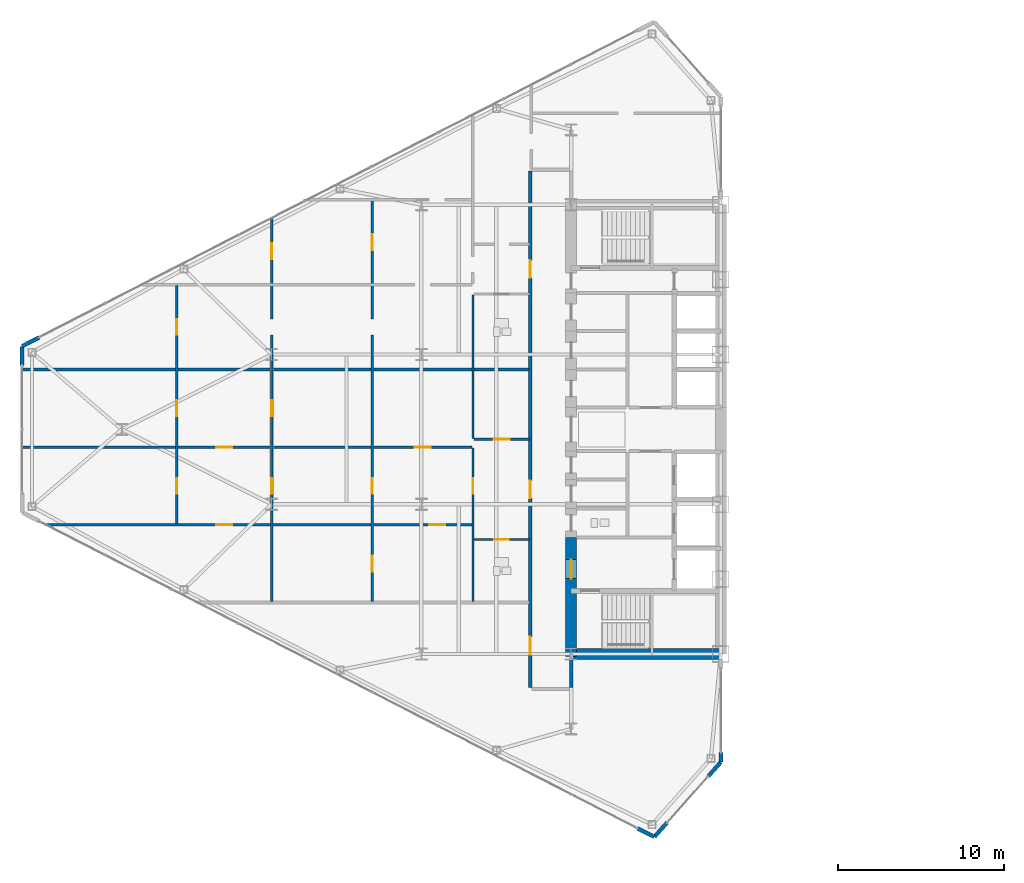
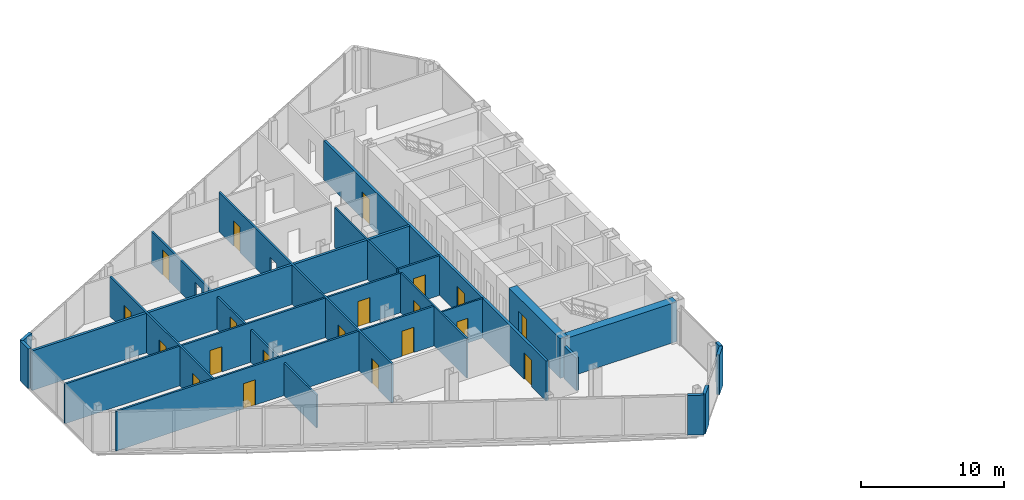
# One storey, part 16 of 24: 20 doors, 20 walls, 22 openings.
"""IFC4 building model written with IfcOpenShell, lengths in metres."""

from ifc_helpers import new_model, si_unit, direction, frame, frame_2d, origin, place, context, subcontext, project, spatial, rectangle, extrude, source, transform, mapped, material, layer, layer_set, type_object, type_shapes, element, fill, save


model = new_model("IFC4")

# Units and contexts
model_context = context("Model", 3, precision=1e-05, world=origin(), true_north=direction((0.0, 1.0)))
body_context = subcontext(model_context, "Body", "Model", "MODEL_VIEW")
ifc_project = project(units=[si_unit("LENGTHUNIT", "METRE"), si_unit("AREAUNIT", "SQUARE_METRE"), si_unit("VOLUMEUNIT", "CUBIC_METRE"), si_unit("PLANEANGLEUNIT", "RADIAN"), si_unit("MASSUNIT", "GRAM", prefix="KILO")], contexts=[model_context])

# Site, building, storey
site_placement = place(None, origin())
site = spatial("IfcSite", under=ifc_project, at=site_placement, CompositionType="ELEMENT")
building_placement = place(site_placement, origin())
building = spatial("IfcBuilding", under=site, at=building_placement, Name="Seokmaru Belvedere", CompositionType="ELEMENT")
storey_placement = place(building_placement, frame((0.0, 0.0, 121.199951171875)))
storey = spatial("IfcBuildingStorey", under=building, at=storey_placement, Name="L32", CompositionType="ELEMENT", Elevation=121.199951171875)

# Wall, openings, doors
ifc_material_1 = material(Name="Fire-Rated Gypsum Shaftwall")
ifc_layer_1 = layer(ifc_material_1, 0.14990234375)
ifc_layer_set_1 = layer_set([ifc_layer_1], Name="Fire-Rated Gypsum Shaftwall")
wall_type_1 = type_object("IfcWallType", Name="Apartment Fire-Acoustic Room Partition 150", PredefinedType="PARTITIONING", material=ifc_layer_set_1)
wall_1_placement = place(storey_placement, frame((-68.10595703125, -5.72998046875, 0.0), z_axis=(0.0, 0.0, 1.0), x_axis=(1.0, 0.0, 0.0)))
wall_1 = element("IfcWall", 1, at=wall_1_placement, inside=storey, type_object=wall_type_1, Name="L32 Interior Partition 010", PredefinedType="PARTITIONING", context=body_context, shape_type="SweptSolid", body=[
    extrude(rectangle(XDim=25.656005859375, YDim=0.14990234375, at=frame_2d((12.828125, 0.0))), origin(), (0.0, 0.0, 1.0), 3.380126953125),
])
opening_1_placement = place(wall_1_placement, frame((23.079345703125, 0.0, 0.0)))
opening_1 = element("IfcOpeningElement", 2, at=opening_1_placement, cuts=wall_1, Name="Opening D05", PredefinedType="OPENING", context=body_context, shape_type="SweptSolid", body=[
    extrude(rectangle(XDim=0.949951171875, YDim=2.14990234375, at=frame_2d((0.47509765625, 1.074951171875))), frame((0.0, 0.0849609375, 0.0), z_axis=(0.0, -1.0, 0.0), x_axis=(1.0, 0.0, 0.0)), (0.0, 0.0, 1.0), 0.169921875),
])
opening_2_placement = place(wall_1_placement, frame((10.281005859375, 0.0, 0.0)))
opening_2 = element("IfcOpeningElement", 3, at=opening_2_placement, cuts=wall_1, Name="Opening D05", PredefinedType="OPENING", context=body_context, shape_type="SweptSolid", body=[
    extrude(rectangle(XDim=0.949951171875, YDim=2.14990234375, at=frame_2d((0.47509765625, 1.074951171875))), frame((0.0, 0.0849609375, 0.0), z_axis=(0.0, -1.0, 0.0), x_axis=(1.0, 0.0, 0.0)), (0.0, 0.0, 1.0), 0.169921875),
])
ifc_material_2 = material(Name="Engineered White Oak Timber", Category="wood")
door_type_1 = type_object("IfcDoorType", Name="Apartment Interior Fire-Rated Oak Door 950x2150", OperationType="NOTDEFINED", PredefinedType="DOOR", material=ifc_material_2)
shared_shape_1 = source(origin(), body_context, "Body", "SweptSolid", [
    extrude(rectangle(XDim=0.949951171875, YDim=2.14990234375, at=frame_2d((0.47509765625, 1.074951171875))), frame((0.0, 0.02490234375, 0.0), z_axis=(0.0, -1.0, 0.0), x_axis=(1.0, 0.0, 0.0)), (0.0, 0.0, 1.0), 0.050048828125),
])
type_shapes(door_type_1, [shared_shape_1])
door_1_placement = place(opening_1_placement, origin())
door_1 = element("IfcDoor", 4, at=door_1_placement, inside=storey, type_object=door_type_1, Name="L32 Interior Door 006", OperationType="SINGLE_SWING_RIGHT", OverallHeight=2.14990234375, OverallWidth=0.949951171875, PredefinedType="DOOR", context=body_context, shape_type="MappedRepresentation", body=[
    mapped(shared_shape_1, transform((0.0, 0.0, 0.0), scale=1.0)),
])
fill(opening_1, door_1)
door_2_placement = place(opening_2_placement, origin())
door_2 = element("IfcDoor", 5, at=door_2_placement, inside=storey, type_object=door_type_1, Name="L32 Interior Door 010", OperationType="SINGLE_SWING_LEFT", OverallHeight=2.14990234375, OverallWidth=0.949951171875, PredefinedType="DOOR", context=body_context, shape_type="MappedRepresentation", body=[
    mapped(shared_shape_1, transform((0.0, 0.0, 0.0), scale=1.0)),
])
fill(opening_2, door_2)

wall_2_placement = place(storey_placement, frame((-69.534912109375, -1.070068359375, 0.0), z_axis=(0.0, 0.0, 1.0), x_axis=(1.0, 0.0, 0.0)))
wall_2 = element("IfcWall", 6, at=wall_2_placement, inside=storey, type_object=wall_type_1, Name="L32 Interior Partition 012", PredefinedType="PARTITIONING", context=body_context, shape_type="SweptSolid", body=[
    extrude(rectangle(XDim=27.0849609375, YDim=0.14990234375, at=frame_2d((13.54248046875, 0.0))), origin(), (0.0, 0.0, 1.0), 3.380126953125),
])
opening_3_placement = place(wall_2_placement, frame((23.635009765625, 0.0, 0.0)))
opening_3 = element("IfcOpeningElement", 7, at=opening_3_placement, cuts=wall_2, Name="Opening D05", PredefinedType="OPENING", context=body_context, shape_type="SweptSolid", body=[
    extrude(rectangle(XDim=0.949951171875, YDim=2.14990234375, at=frame_2d((0.47509765625, 1.074951171875))), frame((0.0, 0.0849609375, 0.0), z_axis=(0.0, -1.0, 0.0), x_axis=(1.0, 0.0, 0.0)), (0.0, 0.0, 1.0), 0.169921875),
])
opening_4_placement = place(wall_2_placement, frame((11.7099609375, 0.0, 0.0)))
opening_4 = element("IfcOpeningElement", 8, at=opening_4_placement, cuts=wall_2, Name="Opening D05", PredefinedType="OPENING", context=body_context, shape_type="SweptSolid", body=[
    extrude(rectangle(XDim=0.949951171875, YDim=2.14990234375, at=frame_2d((0.47509765625, 1.074951171875))), frame((0.0, 0.0849609375, 0.0), z_axis=(0.0, -1.0, 0.0), x_axis=(1.0, 0.0, 0.0)), (0.0, 0.0, 1.0), 0.169921875),
])
door_3_placement = place(opening_3_placement, origin())
door_3 = element("IfcDoor", 9, at=door_3_placement, inside=storey, type_object=door_type_1, Name="L32 Interior Door 008", OperationType="SINGLE_SWING_LEFT", OverallHeight=2.14990234375, OverallWidth=0.949951171875, PredefinedType="DOOR", context=body_context, shape_type="MappedRepresentation", body=[
    mapped(shared_shape_1, transform((0.0, 0.0, 0.0), scale=1.0)),
])
fill(opening_3, door_3)
door_4_placement = place(opening_4_placement, origin())
door_4 = element("IfcDoor", 10, at=door_4_placement, inside=storey, type_object=door_type_1, Name="L32 Interior Door 012", OperationType="SINGLE_SWING_LEFT", OverallHeight=2.14990234375, OverallWidth=0.949951171875, PredefinedType="DOOR", context=body_context, shape_type="MappedRepresentation", body=[
    mapped(shared_shape_1, transform((0.0, 0.0, 0.0), scale=1.0)),
])
fill(opening_4, door_4)

# Wall, opening, door
wall_3_placement = place(storey_placement, frame((-42.35009765625, -0.60009765625, 0.0), z_axis=(0.0, 0.0, 1.0), x_axis=(1.0, 0.0, 0.0)))
wall_3 = element("IfcWall", 11, at=wall_3_placement, inside=storey, type_object=wall_type_1, Name="L32 Interior Partition 013", PredefinedType="PARTITIONING", context=body_context, shape_type="SweptSolid", body=[
    extrude(rectangle(XDim=3.35009765625, YDim=0.14990234375, at=frame_2d((1.675048828125, 0.0))), origin(), (0.0, 0.0, 1.0), 3.380126953125),
])
opening_5_placement = place(wall_3_placement, frame((1.199951171875, 0.0, 0.0)))
opening_5 = element("IfcOpeningElement", 12, at=opening_5_placement, cuts=wall_3, Name="Opening D05", PredefinedType="OPENING", context=body_context, shape_type="SweptSolid", body=[
    extrude(rectangle(XDim=0.949951171875, YDim=2.14990234375, at=frame_2d((0.47509765625, 1.074951171875))), frame((0.0, 0.0849609375, 0.0), z_axis=(0.0, -1.0, 0.0), x_axis=(1.0, 0.0, 0.0)), (0.0, 0.0, 1.0), 0.169921875),
])
door_5_placement = place(opening_5_placement, origin())
door_5 = element("IfcDoor", 13, at=door_5_placement, inside=storey, type_object=door_type_1, Name="L32 Interior Door 004", OperationType="SINGLE_SWING_LEFT", OverallHeight=2.14990234375, OverallWidth=0.949951171875, PredefinedType="DOOR", context=body_context, shape_type="MappedRepresentation", body=[
    mapped(shared_shape_1, transform((0.0, 0.0, 0.0), scale=1.0)),
])
fill(opening_5, door_5)

# Wall, openings, doors
wall_4_placement = place(storey_placement, frame((-60.199951171875, -5.68310546875, 0.0), z_axis=(0.0, 0.0, 1.0), x_axis=(0.0, 1.0, 0.0)))
wall_4 = element("IfcWall", 14, at=wall_4_placement, inside=storey, type_object=wall_type_1, Name="L32 Interior Partition 027", PredefinedType="PARTITIONING", context=body_context, shape_type="SweptSolid", body=[
    extrude(rectangle(XDim=14.335205078125, YDim=0.14990234375, at=frame_2d((7.16748046875, 0.0))), origin(), (0.0, 0.0, 1.0), 3.380126953125),
])
opening_6_placement = place(wall_4_placement, frame((1.80810546875, 0.0, 0.0)))
opening_6 = element("IfcOpeningElement", 15, at=opening_6_placement, cuts=wall_4, Name="Opening D05", PredefinedType="OPENING", context=body_context, shape_type="SweptSolid", body=[
    extrude(rectangle(XDim=0.949951171875, YDim=2.14990234375, at=frame_2d((0.47509765625, 1.074951171875))), frame((0.0, 0.0849609375, 0.0), z_axis=(0.0, -1.0, 0.0), x_axis=(1.0, 0.0, 0.0)), (0.0, 0.0, 1.0), 0.169921875),
])
opening_7_placement = place(wall_4_placement, frame((6.474609375, 0.0, 0.0)))
opening_7 = element("IfcOpeningElement", 16, at=opening_7_placement, cuts=wall_4, Name="Opening D05", PredefinedType="OPENING", context=body_context, shape_type="SweptSolid", body=[
    extrude(rectangle(XDim=0.949951171875, YDim=2.14990234375, at=frame_2d((0.47509765625, 1.074951171875))), frame((0.0, 0.0849609375, 0.0), z_axis=(0.0, -1.0, 0.0), x_axis=(1.0, 0.0, 0.0)), (0.0, 0.0, 1.0), 0.169921875),
])
opening_8_placement = place(wall_4_placement, frame((11.359130859375, 0.0, 0.0)))
opening_8 = element("IfcOpeningElement", 17, at=opening_8_placement, cuts=wall_4, Name="Opening D05", PredefinedType="OPENING", context=body_context, shape_type="SweptSolid", body=[
    extrude(rectangle(XDim=0.949951171875, YDim=2.14990234375, at=frame_2d((0.47509765625, 1.074951171875))), frame((0.0, 0.0849609375, 0.0), z_axis=(0.0, -1.0, 0.0), x_axis=(1.0, 0.0, 0.0)), (0.0, 0.0, 1.0), 0.169921875),
])
door_6_placement = place(opening_6_placement, origin())
door_6 = element("IfcDoor", 18, at=door_6_placement, inside=storey, type_object=door_type_1, Name="L32 Interior Door 011", OperationType="SINGLE_SWING_RIGHT", OverallHeight=2.14990234375, OverallWidth=0.949951171875, PredefinedType="DOOR", context=body_context, shape_type="MappedRepresentation", body=[
    mapped(shared_shape_1, transform((0.0, 0.0, 0.0), scale=1.0)),
])
fill(opening_6, door_6)
door_7_placement = place(opening_7_placement, origin())
door_7 = element("IfcDoor", 19, at=door_7_placement, inside=storey, type_object=door_type_1, Name="L32 Interior Door 013", OperationType="SINGLE_SWING_RIGHT", OverallHeight=2.14990234375, OverallWidth=0.949951171875, PredefinedType="DOOR", context=body_context, shape_type="MappedRepresentation", body=[
    mapped(shared_shape_1, transform((0.0, 0.0, 0.0), scale=1.0)),
])
fill(opening_7, door_7)
door_8_placement = place(opening_8_placement, origin())
door_8 = element("IfcDoor", 20, at=door_8_placement, inside=storey, type_object=door_type_1, Name="L32 Interior Door 026", OperationType="SINGLE_SWING_RIGHT", OverallHeight=2.14990234375, OverallWidth=0.949951171875, PredefinedType="DOOR", context=body_context, shape_type="MappedRepresentation", body=[
    mapped(shared_shape_1, transform((0.0, 0.0, 0.0), scale=1.0)),
])
fill(opening_8, door_8)

wall_5_placement = place(storey_placement, frame((-54.5, -10.35009765625, 0.0), z_axis=(0.0, 0.0, 1.0), x_axis=(0.0, 1.0, 0.0)))
wall_5 = element("IfcWall", 21, at=wall_5_placement, inside=storey, type_object=wall_type_1, Name="L32 Interior Partition 028", PredefinedType="PARTITIONING", context=body_context, shape_type="SweptSolid", body=[
    extrude(rectangle(XDim=23.08203125, YDim=0.14990234375, at=frame_2d((11.541015625, 0.0))), origin(), (0.0, 0.0, 1.0), 2.780029296875),
])
opening_9_placement = place(wall_5_placement, frame((6.47509765625, 0.0, 0.0)))
opening_9 = element("IfcOpeningElement", 22, at=opening_9_placement, cuts=wall_5, Name="Opening D05", PredefinedType="OPENING", context=body_context, shape_type="SweptSolid", body=[
    extrude(rectangle(XDim=0.949951171875, YDim=2.14990234375, at=frame_2d((0.47509765625, 1.074951171875))), frame((0.0, 0.0849609375, 0.0), z_axis=(0.0, -1.0, 0.0), x_axis=(1.0, 0.0, 0.0)), (0.0, 0.0, 1.0), 0.169921875),
])
opening_10_placement = place(wall_5_placement, frame((11.1416015625, 0.0, 0.0)))
opening_10 = element("IfcOpeningElement", 23, at=opening_10_placement, cuts=wall_5, Name="Opening D05", PredefinedType="OPENING", context=body_context, shape_type="SweptSolid", body=[
    extrude(rectangle(XDim=0.949951171875, YDim=2.14990234375, at=frame_2d((0.47509765625, 1.074951171875))), frame((0.0, 0.0849609375, 0.0), z_axis=(0.0, -1.0, 0.0), x_axis=(1.0, 0.0, 0.0)), (0.0, 0.0, 1.0), 0.169921875),
])
opening_11_placement = place(wall_5_placement, frame((20.57470703125, 0.0, 0.0)))
opening_11 = element("IfcOpeningElement", 24, at=opening_11_placement, cuts=wall_5, Name="Opening D05", PredefinedType="OPENING", context=body_context, shape_type="SweptSolid", body=[
    extrude(rectangle(XDim=0.949951171875, YDim=2.14990234375, at=frame_2d((0.47509765625, 1.074951171875))), frame((0.0, 0.0849609375, 0.0), z_axis=(0.0, -1.0, 0.0), x_axis=(1.0, 0.0, 0.0)), (0.0, 0.0, 1.0), 0.169921875),
])
opening_12_placement = place(wall_5_placement, frame((16.026123046875, 0.0, 0.0)))
element("IfcOpeningElement", 25, at=opening_12_placement, cuts=wall_5, Name="L32 Cased Opening 025", PredefinedType="OPENING", context=body_context, shape_type="SweptSolid", body=[
    extrude(rectangle(XDim=0.949951171875, YDim=2.14990234375, at=frame_2d((0.47509765625, 1.074951171875))), frame((0.0, 0.0849609375, 0.0), z_axis=(0.0, -1.0, 0.0), x_axis=(1.0, 0.0, 0.0)), (0.0, 0.0, 1.0), 0.169921875),
])
door_9_placement = place(opening_9_placement, origin())
door_9 = element("IfcDoor", 26, at=door_9_placement, inside=storey, type_object=door_type_1, Name="L32 Interior Door 009", OperationType="SINGLE_SWING_RIGHT", OverallHeight=2.14990234375, OverallWidth=0.949951171875, PredefinedType="DOOR", context=body_context, shape_type="MappedRepresentation", body=[
    mapped(shared_shape_1, transform((0.0, 0.0, 0.0), scale=1.0)),
])
fill(opening_9, door_9)
door_10_placement = place(opening_10_placement, origin())
door_10 = element("IfcDoor", 27, at=door_10_placement, inside=storey, type_object=door_type_1, Name="L32 Interior Door 015", OperationType="SINGLE_SWING_LEFT", OverallHeight=2.14990234375, OverallWidth=0.949951171875, PredefinedType="DOOR", context=body_context, shape_type="MappedRepresentation", body=[
    mapped(shared_shape_1, transform((0.0, 0.0, 0.0), scale=1.0)),
])
fill(opening_10, door_10)
door_11_placement = place(opening_11_placement, origin())
door_11 = element("IfcDoor", 28, at=door_11_placement, inside=storey, type_object=door_type_1, Name="L32 Interior Door 023", OperationType="SINGLE_SWING_RIGHT", OverallHeight=2.14990234375, OverallWidth=0.949951171875, PredefinedType="DOOR", context=body_context, shape_type="MappedRepresentation", body=[
    mapped(shared_shape_1, transform((0.0, 0.0, 0.0), scale=1.0)),
])
fill(opening_11, door_11)

wall_6_placement = place(storey_placement, frame((-48.449951171875, -10.35009765625, 0.0), z_axis=(0.0, 0.0, 1.0), x_axis=(0.0, 1.0, 0.0)))
wall_6 = element("IfcWall", 29, at=wall_6_placement, inside=storey, type_object=wall_type_1, Name="L32 Interior Partition 029", PredefinedType="PARTITIONING", context=body_context, shape_type="SweptSolid", body=[
    extrude(rectangle(XDim=24.10400390625, YDim=0.14990234375, at=frame_2d((12.052001953125, 0.0))), origin(), (0.0, 0.0, 1.0), 3.380126953125),
])
opening_13_placement = place(wall_6_placement, frame((6.47509765625, 0.0, 0.0)))
opening_13 = element("IfcOpeningElement", 30, at=opening_13_placement, cuts=wall_6, Name="Opening D05", PredefinedType="OPENING", context=body_context, shape_type="SweptSolid", body=[
    extrude(rectangle(XDim=0.949951171875, YDim=2.14990234375, at=frame_2d((0.47509765625, 1.074951171875))), frame((0.0, 0.0849609375, 0.0), z_axis=(0.0, -1.0, 0.0), x_axis=(1.0, 0.0, 0.0)), (0.0, 0.0, 1.0), 0.169921875),
])
opening_14_placement = place(wall_6_placement, frame((1.808349609375, 0.0, 0.0)))
opening_14 = element("IfcOpeningElement", 31, at=opening_14_placement, cuts=wall_6, Name="Opening D05", PredefinedType="OPENING", context=body_context, shape_type="SweptSolid", body=[
    extrude(rectangle(XDim=0.949951171875, YDim=2.14990234375, at=frame_2d((0.47509765625, 1.074951171875))), frame((0.0, 0.0849609375, 0.0), z_axis=(0.0, -1.0, 0.0), x_axis=(1.0, 0.0, 0.0)), (0.0, 0.0, 1.0), 0.169921875),
])
opening_15_placement = place(wall_6_placement, frame((21.12841796875, 0.0, 0.0)))
opening_15 = element("IfcOpeningElement", 32, at=opening_15_placement, cuts=wall_6, Name="Opening D05", PredefinedType="OPENING", context=body_context, shape_type="SweptSolid", body=[
    extrude(rectangle(XDim=0.949951171875, YDim=2.14990234375, at=frame_2d((0.47509765625, 1.074951171875))), frame((0.0, 0.0849609375, 0.0), z_axis=(0.0, -1.0, 0.0), x_axis=(1.0, 0.0, 0.0)), (0.0, 0.0, 1.0), 0.169921875),
])
opening_16_placement = place(wall_6_placement, frame((16.026123046875, 0.0, 0.0)))
element("IfcOpeningElement", 33, at=opening_16_placement, cuts=wall_6, Name="L32 Cased Opening 024", PredefinedType="OPENING", context=body_context, shape_type="SweptSolid", body=[
    extrude(rectangle(XDim=0.949951171875, YDim=2.14990234375, at=frame_2d((0.47509765625, 1.074951171875))), frame((0.0, 0.0849609375, 0.0), z_axis=(0.0, -1.0, 0.0), x_axis=(1.0, 0.0, 0.0)), (0.0, 0.0, 1.0), 0.169921875),
])
door_12_placement = place(opening_13_placement, origin())
door_12 = element("IfcDoor", 34, at=door_12_placement, inside=storey, type_object=door_type_1, Name="L32 Interior Door 007", OperationType="SINGLE_SWING_LEFT", OverallHeight=2.14990234375, OverallWidth=0.949951171875, PredefinedType="DOOR", context=body_context, shape_type="MappedRepresentation", body=[
    mapped(shared_shape_1, transform((0.0, 0.0, 0.0), scale=1.0)),
])
fill(opening_13, door_12)
door_13_placement = place(opening_14_placement, origin())
door_13 = element("IfcDoor", 35, at=door_13_placement, inside=storey, type_object=door_type_1, Name="L32 Interior Door 014", OperationType="SINGLE_SWING_RIGHT", OverallHeight=2.14990234375, OverallWidth=0.949951171875, PredefinedType="DOOR", context=body_context, shape_type="MappedRepresentation", body=[
    mapped(shared_shape_1, transform((0.0, 0.0, 0.0), scale=1.0)),
])
fill(opening_14, door_13)
door_14_placement = place(opening_15_placement, origin())
door_14 = element("IfcDoor", 36, at=door_14_placement, inside=storey, type_object=door_type_1, Name="L32 Interior Door 021", OperationType="SINGLE_SWING_LEFT", OverallHeight=2.14990234375, OverallWidth=0.949951171875, PredefinedType="DOOR", context=body_context, shape_type="MappedRepresentation", body=[
    mapped(shared_shape_1, transform((0.0, 0.0, 0.0), scale=1.0)),
])
fill(opening_15, door_14)

# Wall
ifc_layer_2 = layer(ifc_material_1, 0.199951171875)
ifc_layer_set_2 = layer_set([ifc_layer_2], Name="Fire-Rated Gypsum Shaftwall")
wall_type_2 = type_object("IfcWallType", Name="Inter-Tenancy Fire Compartment Partition 200", PredefinedType="PARTITIONING", material=ifc_layer_set_2)
wall_7_placement = place(storey_placement, frame((-69.5048828125, 3.60009765625, 0.0), z_axis=(0.0, 0.0, 1.0), x_axis=(1.0, 0.0, 0.0)))
element("IfcWall", 37, at=wall_7_placement, inside=storey, type_object=wall_type_2, Name="L32 Interior Partition 016", PredefinedType="PARTITIONING", context=body_context, shape_type="SweptSolid", body=[
    extrude(rectangle(XDim=30.474853515625, YDim=0.199951171875, at=frame_2d((15.2373046875, 0.0))), origin(), (0.0, 0.0, 1.0), 3.380126953125),
])

# Wall, openings, doors
wall_8_placement = place(storey_placement, frame((-38.949951171875, -15.514892578125, 0.0), z_axis=(0.0, 0.0, 1.0), x_axis=(0.0, 1.0, 0.0)))
wall_8 = element("IfcWall", 38, at=wall_8_placement, inside=storey, type_object=wall_type_2, Name="L32 Interior Partition 033", PredefinedType="PARTITIONING", context=body_context, shape_type="SweptSolid", body=[
    extrude(rectangle(XDim=31.02978515625, YDim=0.199951171875, at=frame_2d((15.514892578125, 0.0))), origin(), (0.0, 0.0, 1.0), 3.380126953125),
])
opening_17_placement = place(wall_8_placement, frame((1.989990234375, 0.0, 0.0)))
opening_17 = element("IfcOpeningElement", 39, at=opening_17_placement, cuts=wall_8, Name="Opening D03", PredefinedType="OPENING", context=body_context, shape_type="SweptSolid", body=[
    extrude(rectangle(XDim=1.050048828125, YDim=2.25, at=frame_2d((0.52490234375, 1.125))), frame((0.0, 0.10986328125, 0.0), z_axis=(0.0, -1.0, 0.0), x_axis=(1.0, 0.0, 0.0)), (0.0, 0.0, 1.0), 0.219970703125),
])
opening_18_placement = place(wall_8_placement, frame((11.3798828125, 0.0, 0.0)))
opening_18 = element("IfcOpeningElement", 40, at=opening_18_placement, cuts=wall_8, Name="Opening D03", PredefinedType="OPENING", context=body_context, shape_type="SweptSolid", body=[
    extrude(rectangle(XDim=1.050048828125, YDim=2.25, at=frame_2d((0.52490234375, 1.125))), frame((0.0, 0.10986328125, 0.0), z_axis=(0.0, -1.0, 0.0), x_axis=(1.0, 0.0, 0.0)), (0.0, 0.0, 1.0), 0.219970703125),
])
opening_19_placement = place(wall_8_placement, frame((24.617431640625, 0.0, 0.0)))
opening_19 = element("IfcOpeningElement", 41, at=opening_19_placement, cuts=wall_8, Name="Opening D03", PredefinedType="OPENING", context=body_context, shape_type="SweptSolid", body=[
    extrude(rectangle(XDim=1.050048828125, YDim=2.25, at=frame_2d((0.52490234375, 1.125))), frame((0.0, 0.10986328125, 0.0), z_axis=(0.0, -1.0, 0.0), x_axis=(1.0, 0.0, 0.0)), (0.0, 0.0, 1.0), 0.219970703125),
])
ifc_material_3 = material(Name="Fire-Rated Steel Leaf", Category="steel")
door_type_2 = type_object("IfcDoorType", Name="Apartment Entrance Fire Door 1050x2250", OperationType="NOTDEFINED", PredefinedType="DOOR", material=ifc_material_3)
shared_shape_2 = source(origin(), body_context, "Body", "SweptSolid", [
    extrude(rectangle(XDim=1.050048828125, YDim=2.25, at=frame_2d((0.52490234375, 1.125))), frame((0.0, 0.02490234375, 0.0), z_axis=(0.0, -1.0, 0.0), x_axis=(1.0, 0.0, 0.0)), (0.0, 0.0, 1.0), 0.050048828125),
])
type_shapes(door_type_2, [shared_shape_2])
door_15_placement = place(opening_17_placement, origin())
door_15 = element("IfcDoor", 42, at=door_15_placement, inside=storey, type_object=door_type_2, Name="L32 Interior Door 001", OperationType="SINGLE_SWING_RIGHT", OverallHeight=2.25, OverallWidth=1.050048828125, PredefinedType="DOOR", context=body_context, shape_type="MappedRepresentation", body=[
    mapped(shared_shape_2, transform((0.0, 0.0, 0.0), scale=1.0)),
])
fill(opening_17, door_15)
door_16_placement = place(opening_18_placement, origin())
door_16 = element("IfcDoor", 43, at=door_16_placement, inside=storey, type_object=door_type_2, Name="L32 Interior Door 002", OperationType="SINGLE_SWING_LEFT", OverallHeight=2.25, OverallWidth=1.050048828125, PredefinedType="DOOR", context=body_context, shape_type="MappedRepresentation", body=[
    mapped(shared_shape_2, transform((0.0, 0.0, 0.0), scale=1.0)),
])
fill(opening_18, door_16)
door_17_placement = place(opening_19_placement, origin())
door_17 = element("IfcDoor", 44, at=door_17_placement, inside=storey, type_object=door_type_2, Name="L32 Interior Door 016", OperationType="SINGLE_SWING_RIGHT", OverallHeight=2.25, OverallWidth=1.050048828125, PredefinedType="DOOR", context=body_context, shape_type="MappedRepresentation", body=[
    mapped(shared_shape_2, transform((0.0, 0.0, 0.0), scale=1.0)),
])
fill(opening_19, door_17)

# Walls
wall_9_placement = place(storey_placement, frame((-36.5, -15.514892578125, 0.0), z_axis=(0.0, 0.0, 1.0), x_axis=(0.0, 1.0, 0.0)))
element("IfcWall", 45, at=wall_9_placement, inside=storey, type_object=wall_type_2, Name="L32 Interior Partition 035", PredefinedType="PARTITIONING", context=body_context, shape_type="SweptSolid", body=[
    extrude(rectangle(XDim=1.684814453125, YDim=0.199951171875, at=frame_2d((0.84228515625, 0.0))), origin(), (0.0, 0.0, 1.0), 2.780029296875),
])
ifc_material_4 = material(Name="Concrete C60 (60 MPa)", Category="concrete")
ifc_layer_3 = layer(ifc_material_4, 0.64990234375)
ifc_layer_set_3 = layer_set([ifc_layer_3], Name="Concrete C60 (60 MPa)")
wall_type_3 = type_object("IfcWallType", Name="Mid-Low Reinforced Concrete Core Wall 650", PredefinedType="SHEAR", material=ifc_layer_set_3)
wall_10_placement = place(storey_placement, frame((-36.5, -13.5, 0.0), z_axis=(0.0, 0.0, 1.0), x_axis=(1.0, 0.0, 0.0)))
element("IfcWall", 46, at=wall_10_placement, inside=storey, type_object=wall_type_3, Name="L32 West South Core Wall", PredefinedType="SHEAR", context=body_context, shape_type="SweptSolid", body=[
    extrude(rectangle(XDim=9.0, YDim=0.64990234375, at=frame_2d((4.5, 0.0))), origin(), (0.0, 0.0, 1.0), 3.380126953125),
])

# Wall, opening, door
wall_11_placement = place(storey_placement, frame((-36.5, -13.64990234375, 0.0), z_axis=(0.0, 0.0, 1.0), x_axis=(0.0, 1.0, 0.0)))
wall_11 = element("IfcWall", 47, at=wall_11_placement, inside=storey, type_object=wall_type_3, Name="L32 West West Core Wall FF", PredefinedType="SHEAR", context=body_context, shape_type="SweptSolid", body=[
    extrude(rectangle(XDim=7.14990234375, YDim=0.64990234375, at=frame_2d((3.574951171875, 0.0))), origin(), (0.0, 0.0, 1.0), 3.380126953125),
])
opening_20_placement = place(wall_11_placement, frame((4.675048828125, 0.0, 0.0)))
opening_20 = element("IfcOpeningElement", 48, at=opening_20_placement, cuts=wall_11, Name="Opening D02", PredefinedType="OPENING", context=body_context, shape_type="SweptSolid", body=[
    extrude(rectangle(XDim=1.14990234375, YDim=2.199951171875, at=frame_2d((0.574951171875, 1.10009765625))), frame((0.0, 0.3349609375, 0.0), z_axis=(0.0, -1.0, 0.0), x_axis=(1.0, 0.0, 0.0)), (0.0, 0.0, 1.0), 0.669921875),
])
door_type_3 = type_object("IfcDoorType", Name="Lobby and Vestibule Fire Door 1150x2200", OperationType="NOTDEFINED", PredefinedType="DOOR", material=ifc_material_3)
shared_shape_3 = source(origin(), body_context, "Body", "SweptSolid", [
    extrude(rectangle(XDim=1.14990234375, YDim=2.199951171875, at=frame_2d((0.574951171875, 1.10009765625))), frame((0.0, 0.02490234375, 0.0), z_axis=(0.0, -1.0, 0.0), x_axis=(1.0, 0.0, 0.0)), (0.0, 0.0, 1.0), 0.050048828125),
])
type_shapes(door_type_3, [shared_shape_3])
door_18_placement = place(opening_20_placement, frame((1.14990234375, 0.0, 0.0), z_axis=(0.0, 0.0, 1.0), x_axis=(-1.0, 0.0, 0.0)))
door_18 = element("IfcDoor", 49, at=door_18_placement, inside=storey, type_object=door_type_3, Name="L32 West Firefighting Lobby Door", OperationType="SINGLE_SWING_LEFT", OverallHeight=2.199951171875, OverallWidth=1.14990234375, PredefinedType="DOOR", context=body_context, shape_type="MappedRepresentation", body=[
    mapped(shared_shape_3, transform((0.0, 0.0, 0.0), scale=1.0)),
])
fill(opening_20, door_18)

ifc_layer_4 = layer(ifc_material_1, 0.1298828125)
ifc_layer_set_4 = layer_set([ifc_layer_4], Name="Fire-Rated Gypsum Shaftwall")
wall_type_4 = type_object("IfcWallType", Name="Moisture-Resistant Fire-Rated Bathroom Partition 130", PredefinedType="PARTITIONING", material=ifc_layer_set_4)
wall_12_placement = place(storey_placement, frame((-42.35009765625, -6.6201171875, 0.0), z_axis=(0.0, 0.0, 1.0), x_axis=(1.0, 0.0, 0.0)))
wall_12 = element("IfcWall", 50, at=wall_12_placement, inside=storey, type_object=wall_type_4, Name="L32 Interior Partition 009", PredefinedType="PARTITIONING", context=body_context, shape_type="SweptSolid", body=[
    extrude(rectangle(XDim=3.35009765625, YDim=0.1298828125, at=frame_2d((1.675048828125, 0.0))), origin(), (0.0, 0.0, 1.0), 3.380126953125),
])
opening_21_placement = place(wall_12_placement, frame((1.235107421875, 0.0, 0.0)))
opening_21 = element("IfcOpeningElement", 51, at=opening_21_placement, cuts=wall_12, Name="Opening D06", PredefinedType="OPENING", context=body_context, shape_type="SweptSolid", body=[
    extrude(rectangle(XDim=0.8798828125, YDim=2.10009765625, at=frame_2d((0.43994140625, 1.050048828125))), frame((0.0, 0.074951171875, 0.0), z_axis=(0.0, -1.0, 0.0), x_axis=(1.0, 0.0, 0.0)), (0.0, 0.0, 1.0), 0.14990234375),
])
door_type_4 = type_object("IfcDoorType", Name="Bathroom and Restroom Fire-Rated Door 880x2100", OperationType="NOTDEFINED", PredefinedType="DOOR", material=ifc_material_2)
shared_shape_4 = source(origin(), body_context, "Body", "SweptSolid", [
    extrude(rectangle(XDim=0.8798828125, YDim=2.10009765625, at=frame_2d((0.43994140625, 1.050048828125))), frame((0.0, 0.02490234375, 0.0), z_axis=(0.0, -1.0, 0.0), x_axis=(1.0, 0.0, 0.0)), (0.0, 0.0, 1.0), 0.050048828125),
])
type_shapes(door_type_4, [shared_shape_4])
door_19_placement = place(opening_21_placement, origin())
door_19 = element("IfcDoor", 52, at=door_19_placement, inside=storey, type_object=door_type_4, Name="L32 Interior Door 003", OperationType="SINGLE_SWING_LEFT", OverallHeight=2.10009765625, OverallWidth=0.8798828125, PredefinedType="DOOR", context=body_context, shape_type="MappedRepresentation", body=[
    mapped(shared_shape_4, transform((0.0, 0.0, 0.0), scale=1.0)),
])
fill(opening_21, door_19)

wall_13_placement = place(storey_placement, frame((-42.39990234375, -10.35009765625, 0.0), z_axis=(0.0, 0.0, 1.0), x_axis=(0.0, 1.0, 0.0)))
wall_13 = element("IfcWall", 53, at=wall_13_placement, inside=storey, type_object=wall_type_4, Name="L32 Interior Partition 030", PredefinedType="PARTITIONING", context=body_context, shape_type="SweptSolid", body=[
    extrude(rectangle(XDim=9.233154296875, YDim=0.1298828125, at=frame_2d((4.61669921875, 0.0))), origin(), (0.0, 0.0, 1.0), 3.380126953125),
])
opening_22_placement = place(wall_13_placement, frame((6.47509765625, 0.0, 0.0)))
opening_22 = element("IfcOpeningElement", 54, at=opening_22_placement, cuts=wall_13, Name="Opening D05", PredefinedType="OPENING", context=body_context, shape_type="SweptSolid", body=[
    extrude(rectangle(XDim=0.949951171875, YDim=2.14990234375, at=frame_2d((0.47509765625, 1.074951171875))), frame((0.0, 0.074951171875, 0.0), z_axis=(0.0, -1.0, 0.0), x_axis=(1.0, 0.0, 0.0)), (0.0, 0.0, 1.0), 0.14990234375),
])
door_20_placement = place(opening_22_placement, origin())
door_20 = element("IfcDoor", 55, at=door_20_placement, inside=storey, type_object=door_type_1, Name="L32 Interior Door 005", OperationType="SINGLE_SWING_RIGHT", OverallHeight=2.14990234375, OverallWidth=0.949951171875, PredefinedType="DOOR", context=body_context, shape_type="MappedRepresentation", body=[
    mapped(shared_shape_1, transform((0.0, 0.0, 0.0), scale=1.0)),
])
fill(opening_22, door_20)

# Walls
wall_14_placement = place(storey_placement, frame((-42.39990234375, -0.548095703125, 0.0), z_axis=(0.0, 0.0, 1.0), x_axis=(0.0, 1.0, 0.0)))
element("IfcWall", 56, at=wall_14_placement, inside=storey, type_object=wall_type_4, Name="L32 Interior Partition 031", PredefinedType="PARTITIONING", context=body_context, shape_type="SweptSolid", body=[
    extrude(rectangle(XDim=8.625, YDim=0.1298828125, at=frame_2d((4.3125, 0.0))), origin(), (0.0, 0.0, 1.0), 3.380126953125),
])
ifc_material_5 = material(Name="Anodised Bronze Aluminium", Category="aluminium")
ifc_layer_5 = layer(ifc_material_5, 0.239990234375)
ifc_layer_set_5 = layer_set([ifc_layer_5], Name="Anodised Bronze Aluminium")
wall_type_5 = type_object("IfcWallType", Name="Tower Corner Spandrel Closure Wall 240", PredefinedType="SOLIDWALL", material=ifc_layer_set_5)
wall_15_placement = place(storey_placement, frame((-27.5, -19.97998046875, 0.0), z_axis=(0.0, 0.0, 1.0), x_axis=(0.0, 1.0, 0.0)))
element("IfcWall", 57, at=wall_15_placement, inside=storey, type_object=wall_type_5, Name="L32 W Spine Closure Pier 1A", PredefinedType="SOLIDWALL", context=body_context, shape_type="SweptSolid", body=[
    extrude(rectangle(XDim=0.550048828125, YDim=0.239990234375, at=frame_2d((0.27490234375, 0.0))), origin(), (0.0, 0.0, 1.0), 3.380126953125),
])
wall_16_placement = place(storey_placement, frame((-68.476806640625, 5.52490234375, 0.0), z_axis=(0.0, 0.0, 1.0), x_axis=(-0.889797395748, -0.456355776255, 0.0)))
element("IfcWall", 58, at=wall_16_placement, inside=storey, type_object=wall_type_5, Name="L32 W Corner Closure Pier 3B", PredefinedType="SOLIDWALL", context=body_context, shape_type="SweptSolid", body=[
    extrude(rectangle(XDim=1.14013671875, YDim=0.239990234375, at=frame_2d((0.570068359375, 0.0))), origin(), (0.0, 0.0, 1.0), 3.380126953125),
])
wall_17_placement = place(storey_placement, frame((-69.5, 4.989990234375, 0.0), z_axis=(0.0, 0.0, 1.0), x_axis=(0.0, -1.0, 0.0)))
element("IfcWall", 59, at=wall_17_placement, inside=storey, type_object=wall_type_5, Name="L32 W Corner Closure Pier 4A", PredefinedType="SOLIDWALL", context=body_context, shape_type="SweptSolid", body=[
    extrude(rectangle(XDim=1.139892578125, YDim=0.239990234375, at=frame_2d((0.56982421875, 0.0))), origin(), (0.0, 0.0, 1.0), 3.380126953125),
])
wall_18_placement = place(storey_placement, frame((-32.523193359375, -23.97509765625, 0.0), z_axis=(0.0, 0.0, 1.0), x_axis=(0.889797395748, -0.456355776255, 0.0)))
element("IfcWall", 60, at=wall_18_placement, inside=storey, type_object=wall_type_5, Name="L32 W Corner Closure Pier 5B", PredefinedType="SOLIDWALL", context=body_context, shape_type="SweptSolid", body=[
    extrude(rectangle(XDim=1.14013671875, YDim=0.239990234375, at=frame_2d((0.570068359375, 0.0))), origin(), (0.0, 0.0, 1.0), 3.380126953125),
])
for number, where, z_axis, x_axis, name in (
    (61, (-31.493408203125, -24.492431640625, 0.0), (0.0, 0.0, 1.0), (0.664337252513, 0.747432950119, 0.0), "L32 W Corner Closure Pier 6A"),
    (62, (-28.263916015625, -20.859619140625, 0.0), (0.0, 0.0, 1.0), (0.664337252513, 0.747432950119, 0.0), "L32 W Corner Closure Pier 6B"),
):
    element("IfcWall", number, at=place(storey_placement, frame(where, z_axis=z_axis, x_axis=x_axis)), inside=storey, type_object=wall_type_5, Name=name, PredefinedType="SOLIDWALL", context=body_context, shape_type="SweptSolid", body=[
        extrude(rectangle(XDim=1.139892578125, YDim=0.239990234375, at=frame_2d((0.56982421875, 0.0))), origin(), (0.0, 0.0, 1.0), 3.380126953125),
    ])

save(model, "model.ifc")
